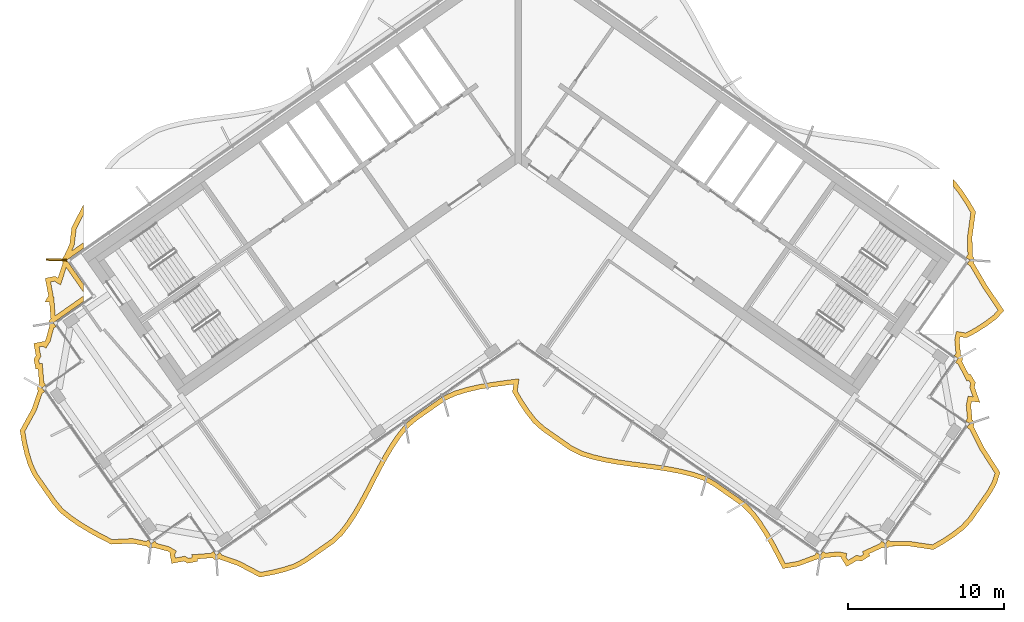
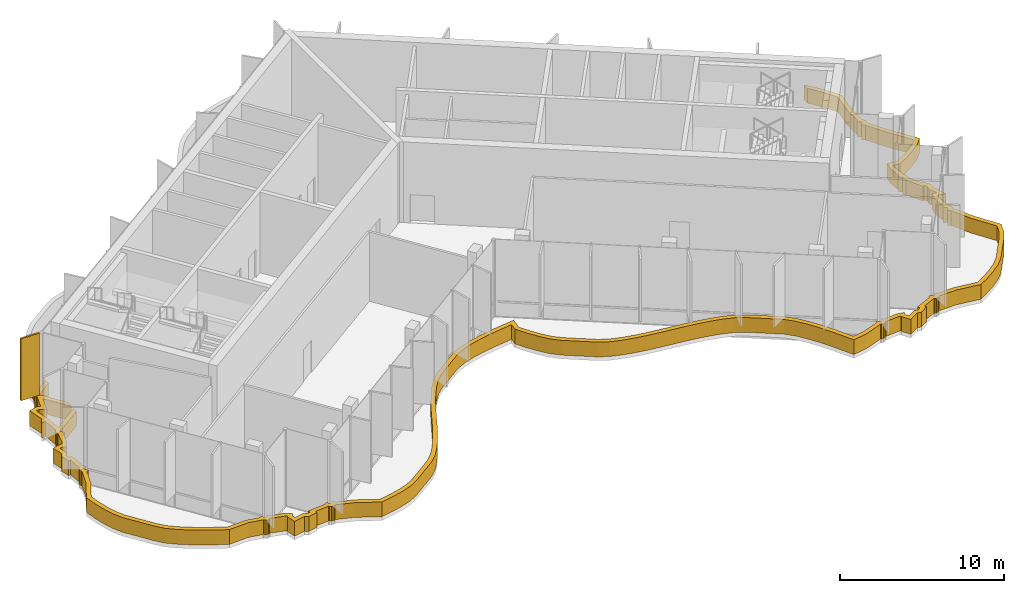
# One storey, part 14 of 18: 2 shading devices.
"""IFC4 building model written with IfcOpenShell, lengths in metres."""

from ifc_helpers import new_model, si_unit, direction, frame, origin, origin_2d, place, context, subcontext, project, spatial, polyline, rectangle, outline, extrude, material, layer, layer_set, type_object, element, save


model = new_model("IFC4")

# Units and contexts
model_context = context("Model", 3, precision=1e-05, world=origin(), true_north=direction((0.0, 1.0)))
body_context = subcontext(model_context, "Body", "Model", "MODEL_VIEW")
ifc_project = project(units=[si_unit("LENGTHUNIT", "METRE"), si_unit("AREAUNIT", "SQUARE_METRE"), si_unit("VOLUMEUNIT", "CUBIC_METRE"), si_unit("PLANEANGLEUNIT", "RADIAN"), si_unit("MASSUNIT", "GRAM", prefix="KILO")], contexts=[model_context])

# Site, building, storey
site_placement = place(None, origin())
site = spatial("IfcSite", under=ifc_project, at=site_placement, CompositionType="ELEMENT")
building_placement = place(site_placement, origin())
building = spatial("IfcBuilding", under=site, at=building_placement, Name="Tel Ilan Convention Tower", CompositionType="ELEMENT")
storey_placement = place(building_placement, frame((0.0, 0.0, 307.300048828125)))
storey = spatial("IfcBuildingStorey", under=building, at=storey_placement, Name="L73", CompositionType="ELEMENT", Elevation=307.300048828125)

# Shading devices
ifc_material_1 = material(Name="Aluminium, bronze anodised", Category="aluminium")
ifc_layer_1 = layer(ifc_material_1, 0.1201171875)
ifc_layer_set_1 = layer_set([ifc_layer_1], Name="FIN BRONZE 1300x120")
shading_device_type_1 = type_object("IfcShadingDeviceType", Name="FIN BRONZE 1300x120", PredefinedType="USERDEFINED", material=ifc_layer_set_1)
shading_device_1_placement = place(storey_placement, frame((-29.61669921875, -7.438720703125, 1.099853515625), z_axis=(0.0, 0.0, 1.0), x_axis=(-0.999576950082, 0.029084718749, 0.0)))
element("IfcShadingDevice", 1, at=shading_device_1_placement, inside=storey, type_object=shading_device_type_1, Name="FIN", ObjectType="FIN", PredefinedType="USERDEFINED", context=body_context, shape_type="SweptSolid", body=[
    extrude(rectangle(XDim=1.300048828125, YDim=0.1201171875, at=origin_2d()), origin(), (0.0, 0.0, 1.0), 4.6201171875),
])
ifc_material_2 = material(Name="Aluminium, bronze anodised", Category="aluminium")
ifc_layer_2 = layer(ifc_material_2, 0.300048828125)
ifc_layer_set_2 = layer_set([ifc_layer_2], Name="LOUVRE BAND 300x1100")
shading_device_type_2 = type_object("IfcShadingDeviceType", Name="LOUVRE BAND 300x1100", PredefinedType="USERDEFINED", material=ifc_layer_set_2)
shading_device_2_placement = place(storey_placement, origin())
element("IfcShadingDevice", 2, at=shading_device_2_placement, inside=storey, type_object=shading_device_type_2, Name="LOUVRE BAND 55.01", ObjectType="LOUVRE", PredefinedType="USERDEFINED", context=body_context, shape_type="SweptSolid", body=[
    extrude(outline(polyline([(-31.176513671875, -16.968505859375), (-31.955078125, -18.389892578125), (-31.82470703125, -19.17431640625), (-31.646728515625, -19.92578125), (-31.42236328125, -20.644775390625), (-31.108154296875, -21.301025390625), (-29.873291015625, -23.064697265625), (-29.4140625, -23.619140625), (-28.832275390625, -24.087890625), (-28.201171875, -24.52197265625), (-27.530029296875, -24.92822265625), (-26.829833984375, -25.31396484375), (-26.1044921875, -25.68212890625), (-24.7607421875, -25.617431640625), (-23.79052734375, -25.81396484375), (-23.761474609375, -25.857421875), (-23.6640625, -25.92236328125), (-23.54931640625, -25.9453125), (-23.4345703125, -25.92236328125), (-23.380615234375, -25.88623046875), (-22.478759765625, -26.1279296875), (-22.322998046875, -26.222900390625), (-22.353271484375, -26.272705078125), (-22.220703125, -26.912353515625), (-21.43505859375, -26.76416015625), (-21.201171875, -26.90673828125), (-20.5615234375, -26.77392578125), (-20.58935546875, -26.627197265625), (-19.6123046875, -26.55078125), (-19.583251953125, -26.593994140625), (-19.486083984375, -26.6591796875), (-19.37109375, -26.681884765625), (-19.25634765625, -26.6591796875), (-19.202392578125, -26.623046875), (-18.00830078125, -27.0400390625), (-16.57958984375, -27.7919921875), (-15.780029296875, -27.645263671875), (-15.009521484375, -27.45751953125), (-14.274169921875, -27.219482421875), (-13.616943359375, -26.86962890625), (-11.80078125, -25.597900390625), (-11.26025390625, -25.08154296875), (-10.789306640625, -24.465576171875), (-10.352783203125, -23.800537109375), (-9.943359375, -23.09716796875), (-9.552001953125, -22.367431640625), (-8.785888671875, -20.885009765625), (-8.39111328125, -20.160400390625), (-7.97607421875, -19.464599609375), (-7.532470703125, -18.81005859375), (-7.052734375, -18.20654296875), (-6.48681640625, -17.7265625), (-4.670654296875, -16.454833984375), (-3.987060546875, -16.142822265625), (-3.242919921875, -15.9169921875), (-2.46533203125, -15.739501953125), (-1.66162109375, -15.598876953125), (-0.30078125, -15.41357421875), (-0.370361328125, -15.923828125), (0.041015625, -16.624755859375), (0.481201171875, -17.28466796875), (0.956298828125, -17.894287109375), (1.509765625, -18.392333984375), (3.325927734375, -19.663818359375), (3.99609375, -19.9951171875), (4.73583984375, -20.22705078125), (5.510009765625, -20.40966796875), (6.311279296875, -20.553955078125), (7.130615234375, -20.672119140625), (8.785888671875, -20.885009765625), (9.601806640625, -21.008056640625), (10.3974609375, -21.16015625), (11.16455078125, -21.353271484375), (11.8955078125, -21.59765625), (12.540283203125, -21.965087890625), (14.356201171875, -23.23681640625), (14.88330078125, -23.7724609375), (15.349853515625, -24.39453125), (15.782958984375, -25.064453125), (16.18994140625, -25.771728515625), (16.57958984375, -26.50341796875), (16.96240234375, -27.2451171875), (17.983642578125, -27.074951171875), (19.202392578125, -26.623046875), (19.25634765625, -26.6591796875), (19.37109375, -26.681884765625), (19.486083984375, -26.6591796875), (19.583251953125, -26.593994140625), (19.6123046875, -26.55078125), (20.542236328125, -26.469482421875), (20.72119140625, -26.50537109375), (20.709716796875, -26.5625), (21.052978515625, -27.1181640625), (21.740478515625, -26.710205078125), (22.00927734375, -26.76416015625), (22.564697265625, -26.420654296875), (22.488525390625, -26.292236328125), (23.380615234375, -25.88623046875), (23.4345703125, -25.92236328125), (23.54931640625, -25.9453125), (23.6640625, -25.92236328125), (23.761474609375, -25.857421875), (23.79052734375, -25.81396484375), (25.015625, -25.789306640625), (26.617919921875, -26.0283203125), (27.311767578125, -25.631591796875), (27.9609375, -25.203369140625), (28.5625, -24.741943359375), (29.068603515625, -24.213623046875), (30.31298828125, -22.436767578125), (30.669189453125, -21.803466796875), (30.8984375, -21.081298828125), (29.872314453125, -19.47998046875), (29.18212890625, -18.114013671875), (29.218017578125, -18.06005859375), (29.240966796875, -17.9453125), (29.218017578125, -17.830322265625), (29.153076171875, -17.733154296875), (29.10986328125, -17.7041015625), (29.028564453125, -16.774169921875), (29.080322265625, -16.5166015625), (29.61181640625, -16.583740234375), (29.26171875, -15.613037109375), (29.3232421875, -15.30712890625), (28.979736328125, -14.751708984375), (28.889404296875, -14.80517578125), (28.4453125, -13.935791015625), (28.4814453125, -13.8818359375), (28.504150390625, -13.76708984375), (28.4814453125, -13.652099609375), (28.416259765625, -13.554931640625), (28.373046875, -13.52587890625), (28.291748046875, -12.595947265625), (28.33642578125, -12.373291015625), (28.752685546875, -12.44189453125), (29.445068359375, -12.072265625), (30.077880859375, -11.660888671875), (30.66748046875, -11.218994140625), (31.151123046875, -10.703125), (30.056640625, -9.082275390625), (29.199951171875, -7.6279296875), (29.236083984375, -7.57373046875), (29.2587890625, -7.458984375), (29.236083984375, -7.34423828125), (29.1708984375, -7.246826171875), (29.127685546875, -7.218017578125), (29.10986328125, -5.95947265625), (29.331298828125, -4.35888671875), (28.922119140625, -3.659423828125), (28.48388671875, -3.001220703125), (28.0107421875, -2.392822265625), (27.874755859375, -2.269287109375), (27.874755859375, -2.70654296875), (28.240234375, -3.176513671875), (28.66748046875, -3.818359375), (29.02001953125, -4.420654296875), (28.809326171875, -5.941162109375), (28.829345703125, -7.12109375), (28.713134765625, -7.286865234375), (28.958740234375, -7.458984375), (28.787353515625, -7.705322265625), (28.97900390625, -7.83935546875), (29.802734375, -9.2421875), (30.7685546875, -10.672607421875), (30.466552734375, -10.99462890625), (29.906005859375, -11.414794921875), (29.292236328125, -11.813720703125), (28.701171875, -12.12939453125), (28.099365234375, -12.0302734375), (27.989013671875, -12.579833984375), (28.067626953125, -13.439208984375), (27.95849609375, -13.594970703125), (28.204345703125, -13.76708984375), (28.03271484375, -14.01318359375), (28.21630859375, -14.141845703125), (28.766845703125, -15.226806640625), (28.87939453125, -15.159912109375), (29.005859375, -15.3642578125), (28.951171875, -15.635986328125), (29.163330078125, -16.224853515625), (28.841064453125, -16.18408203125), (28.725830078125, -16.758056640625), (28.80419921875, -17.617431640625), (28.6953125, -17.773193359375), (28.94091796875, -17.9453125), (28.76953125, -18.19140625), (28.95263671875, -18.319580078125), (29.611328125, -19.62890625), (30.56982421875, -21.12451171875), (30.392578125, -21.68310546875), (30.05859375, -22.276611328125), (28.836181640625, -24.022705078125), (28.36181640625, -24.517822265625), (27.78662109375, -24.958740234375), (27.154541015625, -25.3759765625), (26.559326171875, -25.71630859375), (25.034423828125, -25.48876953125), (23.886474609375, -25.51513671875), (23.721435546875, -25.3994140625), (23.54931640625, -25.645263671875), (23.30322265625, -25.473876953125), (23.1787109375, -25.6513671875), (22.059326171875, -26.156982421875), (22.156494140625, -26.320556640625), (21.9521484375, -26.44677734375), (21.6865234375, -26.393310546875), (21.1533203125, -26.709716796875), (21.027099609375, -26.505615234375), (21.07421875, -26.2705078125), (20.558349609375, -26.166748046875), (19.698974609375, -26.245361328125), (19.543212890625, -26.13623046875), (19.37109375, -26.382080078125), (19.125, -26.21044921875), (19.00732421875, -26.378662109375), (17.90673828125, -26.78369140625), (17.12890625, -26.913330078125), (16.452392578125, -25.626220703125), (16.0390625, -24.908203125), (15.59619140625, -24.222900390625), (15.111328125, -23.576416015625), (14.55078125, -23.0068359375), (12.700927734375, -21.71142578125), (12.0185546875, -21.322509765625), (11.248779296875, -21.06494140625), (10.46240234375, -20.866943359375), (9.65234375, -20.712158203125), (8.827392578125, -20.587890625), (7.171142578125, -20.374755859375), (6.359375, -20.2578125), (5.571044921875, -20.11572265625), (4.815185546875, -19.9375), (4.108154296875, -19.7158203125), (3.479248046875, -19.405029296875), (1.697021484375, -18.156982421875), (1.1767578125, -17.68896484375), (0.724609375, -17.10888671875), (0.29541015625, -16.465576171875), (-0.05908203125, -15.861328125), (0.04931640625, -15.06640625), (-0.880615234375, -15.185546875), (-1.708251953125, -15.302490234375), (-2.5244140625, -15.4453125), (-3.320068359375, -15.626953125), (-4.09326171875, -15.861572265625), (-4.8203125, -16.193359375), (-6.670166015625, -17.48876953125), (-7.269287109375, -17.996826171875), (-7.7744140625, -18.632080078125), (-8.229248046875, -19.303466796875), (-8.65185546875, -20.01171875), (-9.05078125, -20.744384765625), (-9.817626953125, -22.227783203125), (-10.205322265625, -22.95068359375), (-10.608154296875, -23.642822265625), (-11.0341796875, -24.2919921875), (-11.484375, -24.880859375), (-11.991455078125, -25.365234375), (-13.77392578125, -26.61328125), (-14.3916015625, -26.942138671875), (-15.09130859375, -27.168701171875), (-15.8427734375, -27.351806640625), (-16.531494140625, -27.478271484375), (-17.888671875, -26.763916015625), (-19.009033203125, -26.3759765625), (-19.125, -26.21044921875), (-19.37109375, -26.382080078125), (-19.543212890625, -26.13623046875), (-19.721435546875, -26.260986328125), (-20.9462890625, -26.353271484375), (-20.910888671875, -26.5400390625), (-21.146240234375, -26.5888671875), (-21.37744140625, -26.447998046875), (-21.98681640625, -26.562744140625), (-22.03564453125, -26.32763671875), (-21.91064453125, -26.122802734375), (-22.360107421875, -25.84912109375), (-23.194580078125, -25.62890625), (-23.30322265625, -25.473876953125), (-23.54931640625, -25.645263671875), (-23.721435546875, -25.3994140625), (-23.861083984375, -25.497314453125), (-24.737060546875, -25.31591796875), (-26.03955078125, -25.378662109375), (-26.689453125, -25.048828125), (-27.3798828125, -24.66845703125), (-28.038330078125, -24.27001953125), (-28.65283203125, -23.84716796875), (-29.202392578125, -23.404541015625), (-29.634521484375, -22.882568359375), (-30.84814453125, -21.149169921875), (-31.142333984375, -20.534912109375), (-31.357177734375, -19.846435546875), (-31.5302734375, -19.115234375), (-31.64208984375, -18.44287109375), (-30.900634765625, -17.08935546875), (-30.539794921875, -16.0126953125), (-30.37548828125, -15.897705078125), (-30.546875, -15.651611328125), (-30.30126953125, -15.4794921875), (-30.426025390625, -15.30126953125), (-30.518310546875, -14.076416015625), (-30.705078125, -14.11181640625), (-30.75390625, -13.876708984375), (-30.613037109375, -13.645263671875), (-30.727783203125, -13.035888671875), (-30.49267578125, -12.9873046875), (-30.287841796875, -13.112060546875), (-30.01416015625, -12.66259765625), (-29.7939453125, -11.828125), (-29.63818359375, -11.71923828125), (-29.810302734375, -11.473388671875), (-27.874755859375, -10.1181640625), (-27.874755859375, -9.751953125), (-29.696533203125, -11.027587890625), (-29.7880859375, -9.810302734375), (-29.82568359375, -9.812744140625), (-29.814697265625, -9.793212890625), (-29.9912109375, -8.85791015625), (-29.756103515625, -8.80908203125), (-29.352783203125, -9.0546875), (-28.9892578125, -7.938720703125), (-27.874755859375, -9.530029296875), (-27.874755859375, -9.007080078125), (-28.958740234375, -7.458984375), (-27.874755859375, -6.699951171875), (-27.874755859375, -6.333740234375), (-28.640380859375, -6.869873046875), (-28.480224609375, -6.525634765625), (-28.343994140625, -5.44384765625), (-27.874755859375, -4.536376953125), (-27.874755859375, -3.881103515625), (-28.635009765625, -5.353271484375), (-28.772216796875, -6.441650390625), (-29.127685546875, -7.218017578125), (-29.1708984375, -7.246826171875), (-29.236083984375, -7.34423828125), (-29.2587890625, -7.458984375), (-29.236083984375, -7.57373046875), (-29.199951171875, -7.6279296875), (-29.5205078125, -8.60107421875), (-29.700927734375, -8.4912109375), (-30.340576171875, -8.6240234375), (-30.1298828125, -9.741455078125), (-30.358642578125, -10.1484375), (-30.06494140625, -10.129150390625), (-29.97900390625, -11.232421875), (-30.0224609375, -11.26123046875), (-30.08740234375, -11.358642578125), (-30.1103515625, -11.473388671875), (-30.08740234375, -11.588134765625), (-30.05126953125, -11.64208984375), (-30.29296875, -12.5439453125), (-30.387939453125, -12.69970703125), (-30.437744140625, -12.66943359375), (-31.0771484375, -12.80224609375), (-30.92919921875, -13.587646484375), (-31.07177734375, -13.821533203125), (-30.93896484375, -14.461181640625), (-30.792236328125, -14.433349609375), (-30.7158203125, -15.410400390625), (-30.759033203125, -15.439453125), (-30.82421875, -15.536865234375), (-30.846923828125, -15.651611328125), (-30.82421875, -15.766357421875), (-30.7880859375, -15.8203125), (-31.176513671875, -16.968505859375)])), origin(), (0.0, 0.0, 1.0), 1.099853515625),
])

save(model, "model.ifc")
